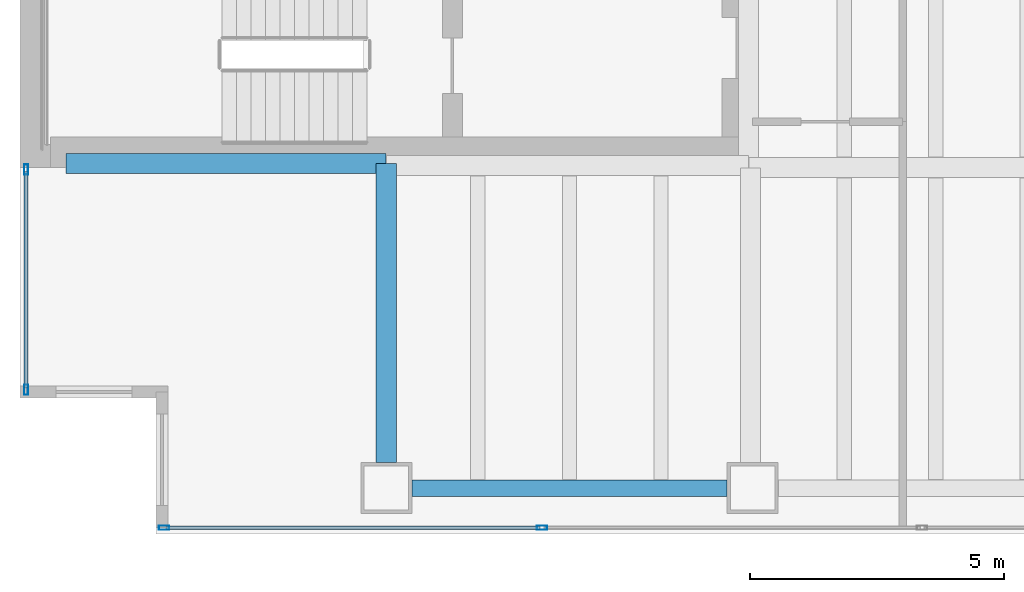
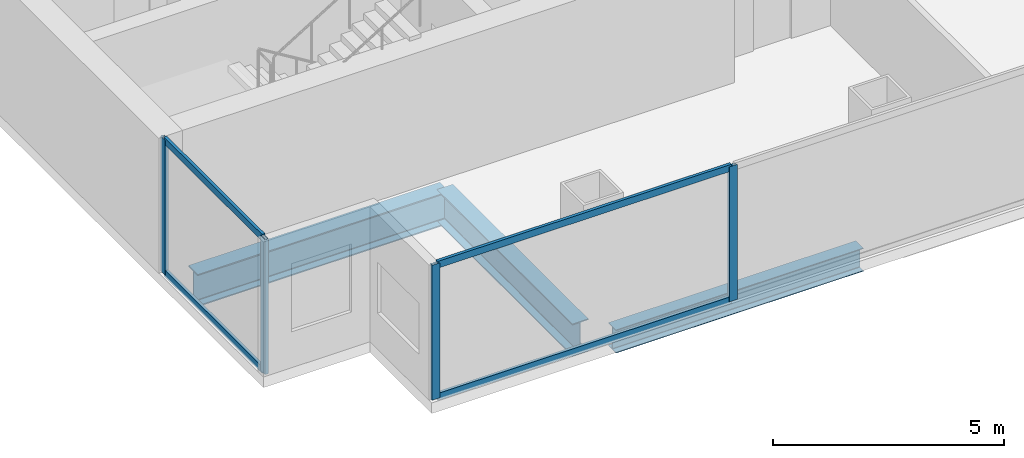
# One storey, part 2 of 25: 8 members, 3 beams, 2 elements without a shape of their own.
"""IFC4 building model written with IfcOpenShell, lengths in metres."""

import ifcopenshell
import ifcopenshell.guid

model = None  # the IFC model being written
_history = None  # IfcOwnerHistory: only IFC2X3 demands one
_inside = {}  # id of a spatial element -> (the spatial element, [elements in it])
_under = {}  # id of a project, library or spatial element -> (it, [spatial elements below it])
_declared = {}  # id of a project -> (the project, [libraries it declares])
_typed = {}  # id of a type object -> (the type object, [elements of that type])
_made_of = {}  # id of a material, layer set ... -> (it, [elements and type objects made of it])


def new_model(schema):
    """Start an empty IFC model of exactly this schema.

    Asked for "IFC4X3", IfcOpenShell would pick the latest addendum, in which some entities
    have other attributes; the version numbers below select the first issue.
    IFC2X3 requires an IfcOwnerHistory on every rooted entity: one is made here for all.
    """
    global model, _history
    if schema == "IFC4X3":
        model = ifcopenshell.file(schema_version=(4, 3, 0, 0))
    else:
        model = ifcopenshell.file(schema=schema)
    _inside.clear()
    _under.clear()
    _declared.clear()
    _typed.clear()
    _made_of.clear()
    _history = None
    if model.schema == "IFC2X3":
        org = make("IfcOrganization", Name="unknown")
        user = make(
            "IfcPersonAndOrganization",
            ThePerson=make("IfcPerson", FamilyName="unknown"),
            TheOrganization=org,
        )
        app = make(
            "IfcApplication",
            ApplicationDeveloper=org,
            Version="unknown",
            ApplicationFullName="unknown",
            ApplicationIdentifier="unknown",
        )
        _history = make(
            "IfcOwnerHistory",
            OwningUser=user,
            OwningApplication=app,
            ChangeAction="ADDED",
            CreationDate=0,
        )
    return model


def make(cls, **values):
    """One entity of the class cls with the attributes given. An attribute that is None is left unset."""
    return model.create_entity(
        cls, **{name: value for name, value in values.items() if value is not None}
    )


def rooted(cls, **values):
    """An entity with a GlobalId (a new one), such as an element, a storey or a relation."""
    return make(cls, GlobalId=ifcopenshell.guid.new(), OwnerHistory=_history, **values)


def si_unit(unit_type, name, prefix=None):
    """IfcSIUnit, for example si_unit("LENGTHUNIT", "METRE", prefix="MILLI")."""
    return make("IfcSIUnit", UnitType=unit_type, Prefix=prefix, Name=name)


def assignment(units):
    """IfcUnitAssignment: the units of a project."""
    return None if units is None else make("IfcUnitAssignment", Units=units)


def point(xyz):
    """IfcCartesianPoint."""
    return None if xyz is None else make("IfcCartesianPoint", Coordinates=xyz)


def direction(xyz):
    """IfcDirection."""
    return None if xyz is None else make("IfcDirection", DirectionRatios=xyz)


def frame(location, z_axis=None, x_axis=None):
    """IfcAxis2Placement3D, a coordinate frame: its origin and axes. An axis left out is left unset."""
    return make(
        "IfcAxis2Placement3D",
        Location=point(location),
        Axis=direction(z_axis),
        RefDirection=direction(x_axis),
    )


def frame_2d(location, x_axis=None):
    """IfcAxis2Placement2D, a coordinate frame in the plane: its origin and x axis."""
    return make(
        "IfcAxis2Placement2D", Location=point(location), RefDirection=direction(x_axis)
    )


def origin():
    """The frame at (0, 0, 0) with its axes left unset."""
    return frame((0.0, 0.0, 0.0))


def origin_2d():
    """The frame at (0, 0) in the plane with its x axis left unset."""
    return frame_2d((0.0, 0.0))


def place(relative_to, where):
    """IfcLocalPlacement: puts the frame where relative to a parent placement (None: the world)."""
    return make(
        "IfcLocalPlacement", PlacementRelTo=relative_to, RelativePlacement=where
    )


def context(
    kind, dimensions, precision=None, world=None, true_north=None, identifier=None
):
    """IfcGeometricRepresentationContext, for example the 3D "Model" context."""
    return make(
        "IfcGeometricRepresentationContext",
        ContextIdentifier=identifier,
        ContextType=kind,
        CoordinateSpaceDimension=dimensions,
        Precision=precision,
        WorldCoordinateSystem=world,
        TrueNorth=true_north,
    )


def subcontext(parent, identifier, kind, view, scale=None):
    """IfcGeometricRepresentationSubContext, for example "Body" below "Model"."""
    return make(
        "IfcGeometricRepresentationSubContext",
        ContextIdentifier=identifier,
        ContextType=kind,
        ParentContext=parent,
        TargetScale=scale,
        TargetView=view,
    )


def project(units=None, contexts=None):
    """IfcProject with its units and contexts."""
    return rooted(
        "IfcProject",
        Name="project",
        RepresentationContexts=contexts,
        UnitsInContext=assignment(units),
    )


def spatial(cls, under=None, at=None, **own):
    """A site, building, storey or space (cls), placed at a placement, below another one or the project."""
    s = rooted(cls, ObjectPlacement=at, **own)
    if under is not None:
        _under.setdefault(under.id(), (under, []))[1].append(s)
    return s


def profile(cls, at=None, kind="AREA", **sizes):
    """A parametric profile (cls). Its sizes go by their IFC names, for example OverallWidth=200.0."""
    return make(cls, ProfileType=kind, Position=at, **sizes)


def hollow_rectangle(**sizes):
    """IfcRectangleHollowProfileDef."""
    return profile("IfcRectangleHollowProfileDef", **sizes)


def i_section(**sizes):
    """IfcIShapeProfileDef."""
    return profile("IfcIShapeProfileDef", **sizes)


def extrude(swept, where, along, depth):
    """IfcExtrudedAreaSolid: the profile swept, set in the frame where, extruded along a direction by depth."""
    return make(
        "IfcExtrudedAreaSolid",
        SweptArea=swept,
        Position=where,
        ExtrudedDirection=direction(along),
        Depth=depth,
    )


def shape(context_of_items, identifier, shape_type, items):
    """IfcShapeRepresentation: the items that make up one representation, for example the "Body"."""
    return make(
        "IfcShapeRepresentation",
        ContextOfItems=context_of_items,
        RepresentationIdentifier=identifier,
        RepresentationType=shape_type,
        Items=items,
    )


def material(Name=None, Category=None):
    """IfcMaterial."""
    return make("IfcMaterial", Name=Name, Category=Category)


def material_profile(
    of_material, cross_section, Name=None, Category=None, Priority=None
):
    """IfcMaterialProfile: a cross section and its material."""
    return make(
        "IfcMaterialProfile",
        Name=Name,
        Material=of_material,
        Profile=cross_section,
        Priority=Priority,
        Category=Category,
    )


def profile_set(profiles, Name=None, composite=None):
    """IfcMaterialProfileSet."""
    return make(
        "IfcMaterialProfileSet",
        Name=Name,
        MaterialProfiles=profiles,
        CompositeProfile=composite,
    )


def made_of(thing, what):
    """Note that an element or type object is made of a material, layer set ...; save() writes the relation."""
    if what is not None:
        _made_of.setdefault(what.id(), (what, []))[1].append(thing)
    return thing


def type_object(cls, material=None, **own):
    """A type object (cls), such as IfcWallType, which elements share."""
    return made_of(rooted(cls, **own), material)


def element(
    cls,
    number,
    at=None,
    inside=None,
    cuts=None,
    type_object=None,
    material=None,
    context=None,
    identifier="Body",
    shape_type=None,
    held_by="IfcProductDefinitionShape",
    body=None,
    shapes=None,
    **own,
):
    """One element of the class cls, such as IfcWall. Its Tag is "e" and its number.

    at: its placement. inside: the storey or other place that contains it. cuts: it is an
    opening in that element (IfcRelVoidsElement). A single representation is given by context,
    identifier, shape_type and body (its items); several are given by shapes. held_by: the class
    of the entity that holds the representations. save() writes the other relations.
    """
    e = rooted(cls, Tag="e%d" % number, ObjectPlacement=at, **own)
    if body is not None:
        shapes = [shape(context, identifier, shape_type, body)]
    if shapes is not None:
        e.Representation = make(held_by, Representations=shapes)
    if inside is not None:
        _inside.setdefault(inside.id(), (inside, []))[1].append(e)
    if cuts is not None:
        rooted(
            "IfcRelVoidsElement", RelatingBuildingElement=cuts, RelatedOpeningElement=e
        )
    if type_object is not None:
        _typed.setdefault(type_object.id(), (type_object, []))[1].append(e)
    return made_of(e, material)


def aggregate(whole, parts):
    """IfcRelAggregates: a whole, such as a stair, and the parts it consists of."""
    return rooted("IfcRelAggregates", RelatingObject=whole, RelatedObjects=parts)


def save(model, path):
    """Write the relations noted so far, then the file.

    IfcRelAggregates (storeys below a building ...), IfcRelContainedInSpatialStructure (elements
    in a storey), IfcRelDefinesByType, IfcRelAssociatesMaterial and IfcRelDeclares: one each for
    every whole, place, type object, material and project.
    """
    for whole, parts in _under.values():
        aggregate(whole, parts)
    for where, things in _inside.values():
        rooted(
            "IfcRelContainedInSpatialStructure",
            RelatedElements=things,
            RelatingStructure=where,
        )
    for kind, things in _typed.values():
        rooted("IfcRelDefinesByType", RelatedObjects=things, RelatingType=kind)
    for what, things in _made_of.values():
        rooted("IfcRelAssociatesMaterial", RelatedObjects=things, RelatingMaterial=what)
    for by, libraries in _declared.values():
        rooted("IfcRelDeclares", RelatingContext=by, RelatedDefinitions=libraries)
    model.write(path)


model = new_model("IFC4")

# Units and contexts
model_context = context("Model", 3, precision=1e-05, world=origin(), true_north=direction((0.0, 1.0)))
body_context = subcontext(model_context, "Body", "Model", "MODEL_VIEW")
ifc_project = project(units=[si_unit("LENGTHUNIT", "METRE"), si_unit("AREAUNIT", "SQUARE_METRE"), si_unit("VOLUMEUNIT", "CUBIC_METRE"), si_unit("PLANEANGLEUNIT", "RADIAN"), si_unit("MASSUNIT", "GRAM", prefix="KILO")], contexts=[model_context])

# Site, building, storey
site_placement = place(None, origin())
site = spatial("IfcSite", under=ifc_project, at=site_placement, CompositionType="ELEMENT")
building_placement = place(site_placement, origin())
building = spatial("IfcBuilding", under=site, at=building_placement, Name="Cobrela Telecom Tower", CompositionType="ELEMENT")
storey_placement = place(building_placement, frame((0.0, 0.0, 58.10009765625)))
storey = spatial("IfcBuildingStorey", under=building, at=storey_placement, Name="L14", CompositionType="ELEMENT", Elevation=58.10009765625)

# Beams
ifc_material_1 = material(Name="Steel ASTM A992 Grade 50", Category="steel")
ifc_material_profile_1 = material_profile(ifc_material_1, i_section(OverallWidth=0.39892578125, OverallDepth=0.85595703125, WebThickness=0.018310546875, FlangeThickness=0.029296875, FilletRadius=0.02001953125, at=origin_2d()), Name="W33X201")
ifc_profile_set_1 = profile_set([ifc_material_profile_1], Name="Steel ASTM A992 Grade 50")
beam_type_1 = type_object("IfcBeamType", Name="BM-GIRD-03", PredefinedType="USERDEFINED", material=ifc_profile_set_1)
beam_1_placement = place(storey_placement, frame((0.905029296875, 7.280029296875, -0.7080078125), z_axis=(1.0, 0.0, 0.0), x_axis=(0.0, 1.0, 0.0)))
element("IfcBeam", 1, at=beam_1_placement, inside=storey, type_object=beam_type_1, Name="L14 Primary Girder X06", ObjectType="GIRDER", PredefinedType="USERDEFINED", context=body_context, shape_type="SweptSolid", body=[
    extrude(i_section(OverallWidth=0.39892578125, OverallDepth=0.85595703125, WebThickness=0.018310546875, FlangeThickness=0.029296875, FilletRadius=0.02001953125, at=origin_2d()), origin(), (0.0, 0.0, 1.0), 6.2900390625),
])
beam_2_placement = place(storey_placement, frame((7.199951171875, 1.405029296875, -0.7080078125), z_axis=(0.0, 1.0, 0.0), x_axis=(-1.0, 0.0, 0.0)))
element("IfcBeam", 2, at=beam_2_placement, inside=storey, type_object=beam_type_1, Name="L14 Primary Girder Y32", ObjectType="GIRDER", PredefinedType="USERDEFINED", context=body_context, shape_type="SweptSolid", body=[
    extrude(i_section(OverallWidth=0.39892578125, OverallDepth=0.85595703125, WebThickness=0.018310546875, FlangeThickness=0.029296875, FilletRadius=0.02001953125, at=origin_2d()), origin(), (0.0, 0.0, 1.0), 5.869873046875),
])
ifc_material_profile_2 = material_profile(ifc_material_1, i_section(OverallWidth=0.324951171875, OverallDepth=0.612060546875, WebThickness=0.0126953125, FlangeThickness=0.01904296875, FilletRadius=0.014892578125, at=origin_2d()), Name="W24X104")
ifc_profile_set_2 = profile_set([ifc_material_profile_2], Name="Steel ASTM A992 Grade 50")
beam_type_2 = type_object("IfcBeamType", Name="BM-SPAND-02", PredefinedType="SPANDREL", material=ifc_profile_set_2)
beam_3_placement = place(storey_placement, frame((7.705078125, 0.89990234375, -0.586181640625), z_axis=(1.0, 0.0, 0.0), x_axis=(0.0, 1.0, 0.0)))
element("IfcBeam", 3, at=beam_3_placement, inside=storey, type_object=beam_type_2, Name="L14 Perimeter Spandrel X01", PredefinedType="SPANDREL", context=body_context, shape_type="SweptSolid", body=[
    extrude(i_section(OverallWidth=0.324951171875, OverallDepth=0.612060546875, WebThickness=0.0126953125, FlangeThickness=0.01904296875, FilletRadius=0.014892578125, at=origin_2d()), origin(), (0.0, 0.0, 1.0), 6.18994140625),
])

# Curtain wall, members
ifc_material_2 = material(Name="Anodized Bronze Aluminium 6063-T6", Category="aluminium")
curtain_wall_type = type_object("IfcCurtainWallType", Name="CW-SYS-DATA", PredefinedType="USERDEFINED", material=ifc_material_2)
curtain_wall_1_placement = place(storey_placement, origin())
curtain_wall_1 = element("IfcCurtainWall", 4, at=curtain_wall_1_placement, inside=storey, type_object=curtain_wall_type, Name="L14 Unitised Bronze Curtain Wall 03", ObjectType="UNITISED CURTAIN WALL", PredefinedType="USERDEFINED")
ifc_material_profile_3 = material_profile(ifc_material_2, hollow_rectangle(XDim=0.080078125, YDim=0.199951171875, WallThickness=0.00390625, at=origin_2d()), Name="ALU 80x200x4")
ifc_profile_set_3 = profile_set([ifc_material_profile_3], Name="Anodized Bronze Aluminium 6063-T6")
member_type_1 = type_object("IfcMemberType", Name="CW-SYS-DATA-MUL", PredefinedType="MULLION", material=ifc_profile_set_3)
member_1_placement = place(storey_placement, frame((0.1201171875, 2.830078125, 0.0), z_axis=(0.0, 0.0, 1.0), x_axis=(-1.0, 0.0, 0.0)))
member_1 = element("IfcMember", 5, at=member_1_placement, type_object=member_type_1, Name="CW-DATA mullion 1", PredefinedType="MULLION", context=body_context, shape_type="SweptSolid", body=[
    extrude(hollow_rectangle(XDim=0.080078125, YDim=0.199951171875, WallThickness=0.00390625, at=origin_2d()), origin(), (0.0, 0.0, 1.0), 3.56982421875),
])
member_2_placement = place(storey_placement, frame((0.1201171875, 7.159912109375, 0.0), z_axis=(0.0, 0.0, 1.0), x_axis=(-1.0, 0.0, 0.0)))
member_2 = element("IfcMember", 6, at=member_2_placement, type_object=member_type_1, Name="CW-DATA mullion 2", PredefinedType="MULLION", context=body_context, shape_type="SweptSolid", body=[
    extrude(hollow_rectangle(XDim=0.080078125, YDim=0.199951171875, WallThickness=0.00390625, at=origin_2d()), origin(), (0.0, 0.0, 1.0), 3.56982421875),
])

curtain_wall_2_placement = place(storey_placement, origin())
curtain_wall_2 = element("IfcCurtainWall", 7, at=curtain_wall_2_placement, inside=storey, type_object=curtain_wall_type, Name="L14 Unitised Bronze Curtain Wall 17", ObjectType="UNITISED CURTAIN WALL", PredefinedType="USERDEFINED")
member_3_placement = place(storey_placement, frame((10.260009765625, 0.1201171875, 0.0), z_axis=(0.0, 0.0, 1.0), x_axis=(0.0, -1.0, 0.0)))
member_3 = element("IfcMember", 8, at=member_3_placement, type_object=member_type_1, Name="CW-DATA mullion 6", PredefinedType="MULLION", context=body_context, shape_type="SweptSolid", body=[
    extrude(hollow_rectangle(XDim=0.080078125, YDim=0.199951171875, WallThickness=0.00390625, at=origin_2d()), origin(), (0.0, 0.0, 1.0), 3.56982421875),
])
member_4_placement = place(storey_placement, frame((2.830078125, 0.1201171875, 0.0), z_axis=(0.0, 0.0, 1.0), x_axis=(0.0, -1.0, 0.0)))
member_4 = element("IfcMember", 9, at=member_4_placement, type_object=member_type_1, Name="CW-DATA mullion 7", PredefinedType="MULLION", context=body_context, shape_type="SweptSolid", body=[
    extrude(hollow_rectangle(XDim=0.080078125, YDim=0.199951171875, WallThickness=0.00390625, at=origin_2d()), origin(), (0.0, 0.0, 1.0), 3.56982421875),
])

# Member
ifc_material_profile_4 = material_profile(ifc_material_2, hollow_rectangle(XDim=0.074951171875, YDim=0.179931640625, WallThickness=0.00390625, at=origin_2d()), Name="ALU 75x180x4")
ifc_profile_set_4 = profile_set([ifc_material_profile_4], Name="Anodized Bronze Aluminium 6063-T6")
member_type_2 = type_object("IfcMemberType", Name="CW-SYS-DATA-TRN", PredefinedType="USERDEFINED", material=ifc_profile_set_4)
member_5_placement = place(storey_placement, frame((0.1201171875, 2.8701171875, 0.037353515625), z_axis=(0.0, 1.0, 0.0), x_axis=(-1.0, 0.0, 0.0)))
member_5 = element("IfcMember", 10, at=member_5_placement, type_object=member_type_2, Name="CW-DATA transom 1.1", ObjectType="TRANSOM", PredefinedType="USERDEFINED", context=body_context, shape_type="SweptSolid", body=[
    extrude(hollow_rectangle(XDim=0.074951171875, YDim=0.179931640625, WallThickness=0.00390625, at=origin_2d()), origin(), (0.0, 0.0, 1.0), 4.25),
])

member_6_placement = place(storey_placement, frame((0.1201171875, 2.8701171875, 3.532470703125), z_axis=(0.0, 1.0, 0.0), x_axis=(-1.0, 0.0, 0.0)))
member_6 = element("IfcMember", 11, at=member_6_placement, type_object=member_type_2, Name="CW-DATA transom 1.2", ObjectType="TRANSOM", PredefinedType="USERDEFINED", context=body_context, shape_type="SweptSolid", body=[
    extrude(hollow_rectangle(XDim=0.074951171875, YDim=0.179931640625, WallThickness=0.00390625, at=origin_2d()), origin(), (0.0, 0.0, 1.0), 4.25),
])

aggregate(curtain_wall_1, [member_1, member_2, member_5, member_6])

member_7_placement = place(storey_placement, frame((10.219970703125, 0.1201171875, 0.037353515625), z_axis=(-1.0, 0.0, 0.0), x_axis=(0.0, -1.0, 0.0)))
member_7 = element("IfcMember", 12, at=member_7_placement, type_object=member_type_2, Name="CW-DATA transom 6.1", ObjectType="TRANSOM", PredefinedType="USERDEFINED", context=body_context, shape_type="SweptSolid", body=[
    extrude(hollow_rectangle(XDim=0.074951171875, YDim=0.179931640625, WallThickness=0.00390625, at=origin_2d()), origin(), (0.0, 0.0, 1.0), 7.349853515625),
])

member_8_placement = place(storey_placement, frame((10.219970703125, 0.1201171875, 3.532470703125), z_axis=(-1.0, 0.0, 0.0), x_axis=(0.0, -1.0, 0.0)))
member_8 = element("IfcMember", 13, at=member_8_placement, type_object=member_type_2, Name="CW-DATA transom 6.2", ObjectType="TRANSOM", PredefinedType="USERDEFINED", context=body_context, shape_type="SweptSolid", body=[
    extrude(hollow_rectangle(XDim=0.074951171875, YDim=0.179931640625, WallThickness=0.00390625, at=origin_2d()), origin(), (0.0, 0.0, 1.0), 7.349853515625),
])

aggregate(curtain_wall_2, [member_3, member_4, member_7, member_8])

save(model, "model.ifc")
